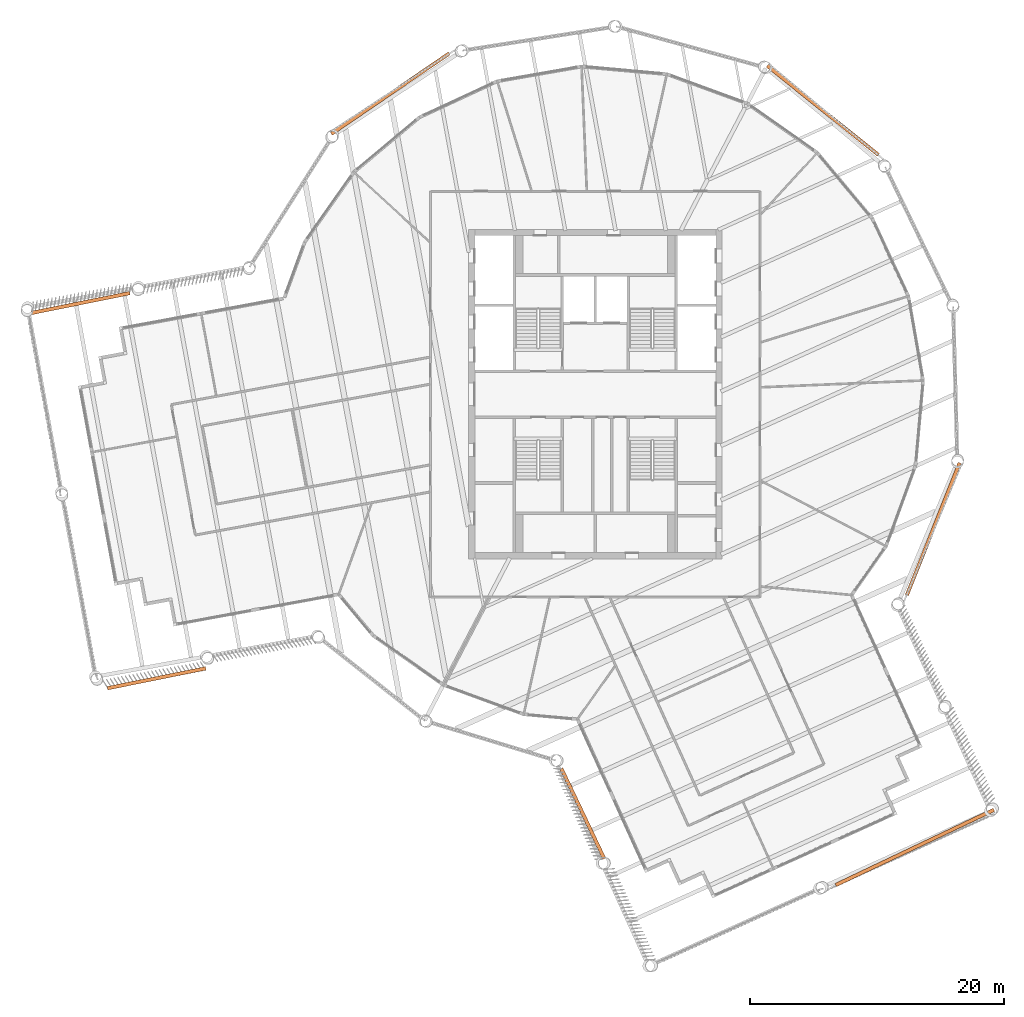
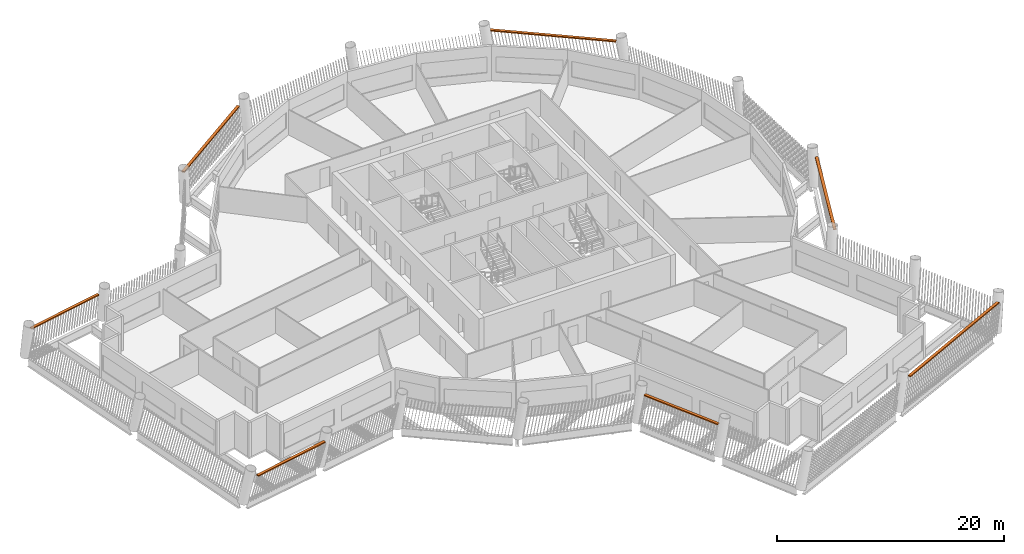
# One storey, part 15 of 15: 7 proxies.
"""IFC4 building model written with IfcOpenShell, lengths in metres."""

from ifc_helpers import new_model, si_unit, direction, frame, origin, origin_2d, place, context, subcontext, project, spatial, rectangle, extrude, material, type_object, element, save


model = new_model("IFC4")

# Units and contexts
model_context = context("Model", 3, precision=1e-05, world=origin(), true_north=direction((0.0, 1.0)))
body_context = subcontext(model_context, "Body", "Model", "MODEL_VIEW")
ifc_project = project(units=[si_unit("LENGTHUNIT", "METRE"), si_unit("AREAUNIT", "SQUARE_METRE"), si_unit("VOLUMEUNIT", "CUBIC_METRE"), si_unit("PLANEANGLEUNIT", "RADIAN"), si_unit("MASSUNIT", "GRAM", prefix="KILO")], contexts=[model_context])

# Site, building, storey
site_placement = place(None, origin())
site = spatial("IfcSite", under=ifc_project, at=site_placement, CompositionType="ELEMENT")
building_placement = place(site_placement, origin())
building = spatial("IfcBuilding", under=site, at=building_placement, Name="Tarsis Ring Headquarters", CompositionType="ELEMENT")
storey_placement = place(building_placement, frame((0.0, 0.0, 327.5)))
storey = spatial("IfcBuildingStorey", under=building, at=storey_placement, Name="L77", CompositionType="ELEMENT", Elevation=327.5)

# Proxies
ifc_material = material(Name="Structural steel S355", Category="steel")
building_element_proxy_type = type_object("IfcBuildingElementProxyType", Name="Screen bracket plate", PredefinedType="USERDEFINED", material=ifc_material)
proxy_1_placement = place(storey_placement, frame((-0.98193359375, -33.07568359375, 2.9677734375), z_axis=(0.0, 0.0, 1.0), x_axis=(0.429565786154, -0.903035567055, 0.0)))
element("IfcBuildingElementProxy", 1, at=proxy_1_placement, inside=storey, type_object=building_element_proxy_type, Name="Screen bracket L77-01", ObjectType="Bracket", PredefinedType="USERDEFINED", context=body_context, shape_type="SweptSolid", body=[
    extrude(rectangle(XDim=7.90234375, YDim=0.280029296875, at=origin_2d()), origin(), (0.0, 0.0, 1.0), 0.1201171875),
])
proxy_2_placement = place(storey_placement, frame((25.194580078125, -35.737548828125, 2.9677734375), z_axis=(0.0, 0.0, 1.0), x_axis=(0.903035619536, 0.429565675827, 0.0)))
element("IfcBuildingElementProxy", 2, at=proxy_2_placement, inside=storey, type_object=building_element_proxy_type, Name="Screen bracket L77-04", ObjectType="Bracket", PredefinedType="USERDEFINED", context=body_context, shape_type="SweptSolid", body=[
    extrude(rectangle(XDim=13.800048828125, YDim=0.280029296875, at=origin_2d()), origin(), (0.0, 0.0, 1.0), 0.1201171875),
])
for number, where, z_axis, x_axis, name in (
    (3, (26.646484375, -10.635498046875, 2.9677734375), (0.0, 0.0, 1.0), (0.370698856101, 0.928753120095, 0.0), "Screen bracket L77-07"),
    (4, (17.95068359375, 22.381103515625, 2.9677734375), (0.0, 0.0, 1.0), (-0.780089296147, 0.625668194842, 0.0), "Screen bracket L77-10"),
    (5, (-16.166259765625, 23.7021484375, 2.9677734375), (0.0, 0.0, 1.0), (-0.826135391778, -0.563471662511, 0.0), "Screen bracket L77-13"),
):
    element("IfcBuildingElementProxy", number, at=place(storey_placement, frame(where, z_axis=z_axis, x_axis=x_axis)), inside=storey, type_object=building_element_proxy_type, Name=name, ObjectType="Bracket", PredefinedType="USERDEFINED", context=body_context, shape_type="SweptSolid", body=[
        extrude(rectangle(XDim=11.248779296875, YDim=0.280029296875, at=origin_2d()), origin(), (0.0, 0.0, 1.0), 0.1201171875),
    ])
for number, where, z_axis, x_axis, name in (
    (6, (-40.5810546875, 7.18896484375, 2.9677734375), (0.0, 0.0, 1.0), (-0.980132958738, -0.198341582112, 0.0), "Screen bracket L77-16"),
    (7, (-34.593017578125, -22.4013671875, 2.9677734375), (0.0, 0.0, 1.0), (0.980132931045, 0.198341718964, 0.0), "Screen bracket L77-19"),
):
    element("IfcBuildingElementProxy", number, at=place(storey_placement, frame(where, z_axis=z_axis, x_axis=x_axis)), inside=storey, type_object=building_element_proxy_type, Name=name, ObjectType="Bracket", PredefinedType="USERDEFINED", context=body_context, shape_type="SweptSolid", body=[
        extrude(rectangle(XDim=7.90234375, YDim=0.280029296875, at=origin_2d()), origin(), (0.0, 0.0, 1.0), 0.1201171875),
    ])

save(model, "model.ifc")
